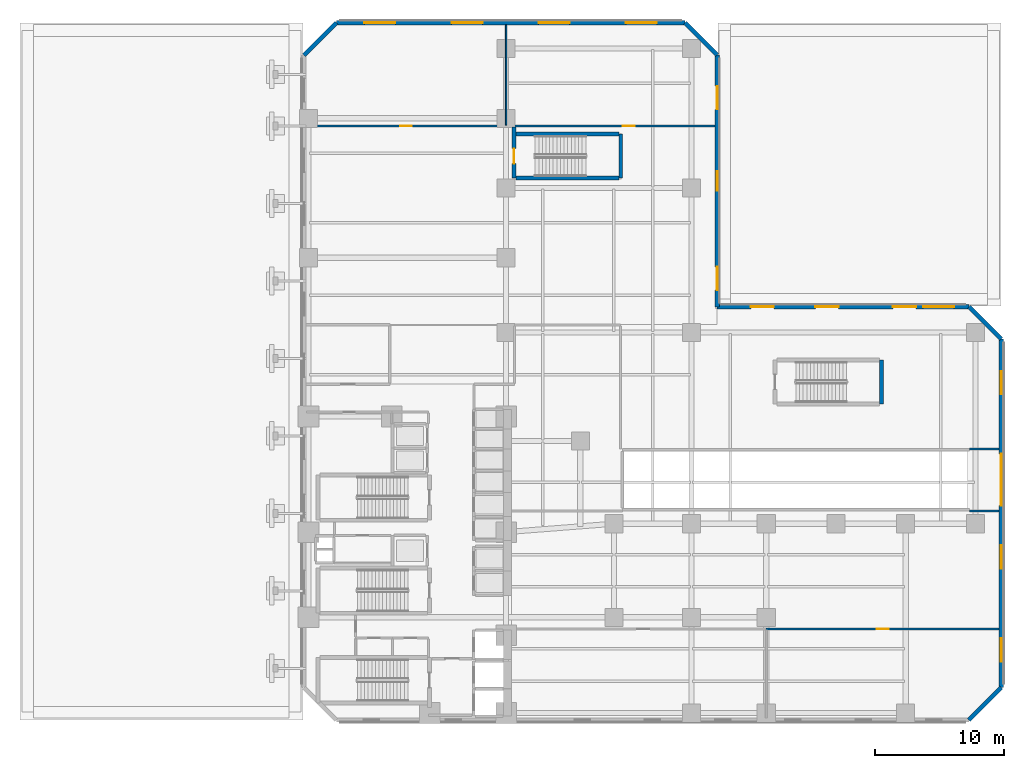
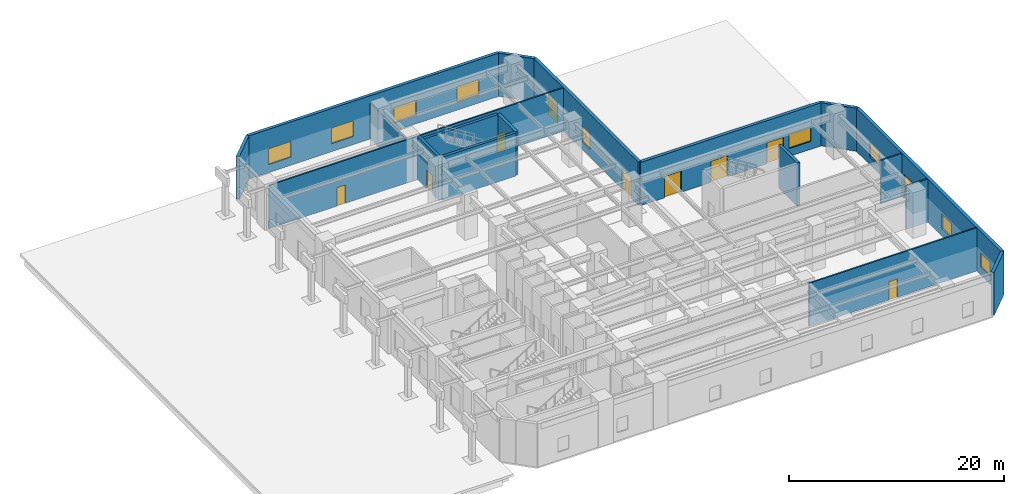
# One storey, part 6 of 14: 19 walls, 10 doors, 9 windows, 19 openings.
"""IFC4 building model written with IfcOpenShell, lengths in metres."""

from ifc_helpers import new_model, si_unit, direction, frame, frame_2d, origin, place, context, subcontext, project, spatial, rectangle, extrude, material, layer, layer_set, type_object, element, fill, save


model = new_model("IFC4")

# Units and contexts
model_context = context("Model", 3, precision=1e-05, world=origin(), true_north=direction((0.0, 1.0)))
body_context = subcontext(model_context, "Body", "Model", "MODEL_VIEW")
ifc_project = project(units=[si_unit("LENGTHUNIT", "METRE"), si_unit("AREAUNIT", "SQUARE_METRE"), si_unit("VOLUMEUNIT", "CUBIC_METRE"), si_unit("PLANEANGLEUNIT", "RADIAN"), si_unit("MASSUNIT", "GRAM", prefix="KILO")], contexts=[model_context])

# Site, building, storey
site_placement = place(None, origin())
site = spatial("IfcSite", under=ifc_project, at=site_placement, CompositionType="ELEMENT")
building_placement = place(site_placement, origin())
building = spatial("IfcBuilding", under=site, at=building_placement, Name="Mawjaban Terraces University", CompositionType="ELEMENT")
storey_placement = place(building_placement, origin())
storey = spatial("IfcBuildingStorey", under=building, at=storey_placement, Name="L00", CompositionType="ELEMENT", Elevation=0.0)

# Wall, opening, door
ifc_material_1 = material(Name="Fire-rated gypsum board on steel stud", Category="steel")
ifc_layer_1 = layer(ifc_material_1, 0.159912109375)
ifc_layer_set_1 = layer_set([ifc_layer_1], Name="Fire-rated gypsum board on steel stud")
wall_type_1 = type_object("IfcWallType", Name="CorridorPartition_160", PredefinedType="PARTITIONING", material=ifc_layer_set_1)
wall_1_placement = place(storey_placement, frame((37.64990234375, 46.0, 0.0), z_axis=(0.0, 0.0, 1.0), x_axis=(-1.0, 0.0, 0.0)))
wall_1 = element("IfcWall", 1, at=wall_1_placement, inside=storey, type_object=wall_type_1, Name="L00 Main Campus Entrance Concourse Partition 12", PredefinedType="PARTITIONING", context=body_context, shape_type="SweptSolid", body=[
    extrude(rectangle(XDim=15.494873046875, YDim=0.159912109375, at=frame_2d((7.74755859375, 0.0))), origin(), (0.0, 0.0, 1.0), 4.919921875),
])
opening_1_placement = place(wall_1_placement, frame((7.297119140625, 0.0, 0.0)))
opening_1 = element("IfcOpeningElement", 2, at=opening_1_placement, cuts=wall_1, Name="Opening ID-090", PredefinedType="OPENING", context=body_context, shape_type="SweptSolid", body=[
    extrude(rectangle(XDim=0.89990234375, YDim=2.10009765625, at=frame_2d((0.449951171875, 1.050048828125))), frame((0.0, 0.08984375, 0.0), z_axis=(0.0, -1.0, 0.0), x_axis=(1.0, 0.0, 0.0)), (0.0, 0.0, 1.0), 0.179931640625),
])
ifc_material_2 = material(Name="Powder-coated steel frame and solid acoustic timber leaf", Category="steel")
door_type_1 = type_object("IfcDoorType", Name="OfficeDoor_900x2100", OperationType="NOTDEFINED", PredefinedType="DOOR", material=ifc_material_2)
door_1_placement = place(opening_1_placement, origin())
door_1 = element("IfcDoor", 3, at=door_1_placement, inside=storey, type_object=door_type_1, Name="L00 University Admissions and Registrar Suite Door", OperationType="SINGLE_SWING_LEFT", OverallHeight=2.10009765625, OverallWidth=0.89990234375, PredefinedType="DOOR", context=body_context, shape_type="SweptSolid", body=[
    extrude(rectangle(XDim=0.89990234375, YDim=2.10009765625, at=frame_2d((0.449951171875, 1.050048828125))), frame((0.0, 0.02490234375, 0.0), z_axis=(0.0, -1.0, 0.0), x_axis=(1.0, 0.0, 0.0)), (0.0, 0.0, 1.0), 0.050048828125),
])
fill(opening_1, door_1)

wall_2_placement = place(storey_placement, frame((53.844970703125, 46.0, 0.0), z_axis=(0.0, 0.0, 1.0), x_axis=(-1.0, 0.0, 0.0)))
wall_2 = element("IfcWall", 4, at=wall_2_placement, inside=storey, type_object=wall_type_1, Name="L00 Main Campus Entrance Concourse Partition 16", PredefinedType="PARTITIONING", context=body_context, shape_type="SweptSolid", body=[
    extrude(rectangle(XDim=16.195068359375, YDim=0.159912109375, at=frame_2d((8.09765625, 0.0))), origin(), (0.0, 0.0, 1.0), 4.919921875),
])
opening_2_placement = place(wall_2_placement, frame((6.248046875, 0.0, 0.0)))
opening_2 = element("IfcOpeningElement", 5, at=opening_2_placement, cuts=wall_2, Name="Opening ID-090", PredefinedType="OPENING", context=body_context, shape_type="SweptSolid", body=[
    extrude(rectangle(XDim=0.89990234375, YDim=2.10009765625, at=frame_2d((0.449951171875, 1.050048828125))), frame((0.0, 0.08984375, 0.0), z_axis=(0.0, -1.0, 0.0), x_axis=(1.0, 0.0, 0.0)), (0.0, 0.0, 1.0), 0.179931640625),
])
door_2_placement = place(opening_2_placement, origin())
door_2 = element("IfcDoor", 6, at=door_2_placement, inside=storey, type_object=door_type_1, Name="L00 Student Enrolment Commons Door", OperationType="SINGLE_SWING_RIGHT", OverallHeight=2.10009765625, OverallWidth=0.89990234375, PredefinedType="DOOR", context=body_context, shape_type="SweptSolid", body=[
    extrude(rectangle(XDim=0.89990234375, YDim=2.10009765625, at=frame_2d((0.449951171875, 1.050048828125))), frame((0.0, 0.02490234375, 0.0), z_axis=(0.0, -1.0, 0.0), x_axis=(1.0, 0.0, 0.0)), (0.0, 0.0, 1.0), 0.050048828125),
])
fill(opening_2, door_2)

wall_3_placement = place(storey_placement, frame((57.800048828125, 7.050048828125, 0.0), z_axis=(0.0, 0.0, 1.0), x_axis=(1.0, 0.0, 0.0)))
wall_3 = element("IfcWall", 7, at=wall_3_placement, inside=storey, type_object=wall_type_1, Name="L00 Podium Lecture Theatre Foyer Partition 17", PredefinedType="PARTITIONING", context=body_context, shape_type="SweptSolid", body=[
    extrude(rectangle(XDim=18.044921875, YDim=0.159912109375, at=frame_2d((9.0224609375, 0.0))), origin(), (0.0, 0.0, 1.0), 4.919921875),
])
opening_3_placement = place(wall_3_placement, frame((8.572998046875, 0.0, 0.0)))
opening_3 = element("IfcOpeningElement", 8, at=opening_3_placement, cuts=wall_3, Name="Opening ID-090", PredefinedType="OPENING", context=body_context, shape_type="SweptSolid", body=[
    extrude(rectangle(XDim=0.89990234375, YDim=2.10009765625, at=frame_2d((0.449951171875, 1.050048828125))), frame((0.0, 0.08984375, 0.0), z_axis=(0.0, -1.0, 0.0), x_axis=(1.0, 0.0, 0.0)), (0.0, 0.0, 1.0), 0.179931640625),
])
door_3_placement = place(opening_3_placement, origin())
door_3 = element("IfcDoor", 9, at=door_3_placement, inside=storey, type_object=door_type_1, Name="L00 Plaza Academic Commons and Reading Lounge Door", OperationType="SINGLE_SWING_RIGHT", OverallHeight=2.10009765625, OverallWidth=0.89990234375, PredefinedType="DOOR", context=body_context, shape_type="SweptSolid", body=[
    extrude(rectangle(XDim=0.89990234375, YDim=2.10009765625, at=frame_2d((0.449951171875, 1.050048828125))), frame((0.0, 0.02490234375, 0.0), z_axis=(0.0, -1.0, 0.0), x_axis=(1.0, 0.0, 0.0)), (0.0, 0.0, 1.0), 0.050048828125),
])
fill(opening_3, door_3)

# Walls
for number, where, z_axis, x_axis, name in (
    (10, (73.550048828125, 21.0, 0.0), (0.0, 0.0, 1.0), (1.0, 0.0, 0.0), "L00 Service Ramp Control Lobby Partition 18"),
    (11, (75.844970703125, 16.199951171875, 0.0), (0.0, 0.0, 1.0), (-1.0, 0.0, 0.0), "L00 Podium Lecture Theatre Foyer Partition 19"),
):
    element("IfcWall", number, at=place(storey_placement, frame(where, z_axis=z_axis, x_axis=x_axis)), inside=storey, type_object=wall_type_1, Name=name, PredefinedType="PARTITIONING", context=body_context, shape_type="SweptSolid", body=[
        extrude(rectangle(XDim=2.294921875, YDim=0.159912109375, at=frame_2d((1.1474609375, 0.0))), origin(), (0.0, 0.0, 1.0), 4.919921875),
    ])
ifc_material_3 = material(Name="Insulated terracotta rainscreen on concrete backup C40/50", Category="masonry")
ifc_layer_2 = layer(ifc_material_3, 0.320068359375)
ifc_layer_set_2 = layer_set([ifc_layer_2], Name="Insulated terracotta rainscreen on concrete backup C40/50")
wall_type_2 = type_object("IfcWallType", Name="ExtTerracottaWall_320", PredefinedType="SOLIDWALL", material=ifc_layer_set_2)
wall_4_placement = place(storey_placement, frame((73.5, 0.0, 0.0), z_axis=(0.0, 0.0, 1.0), x_axis=(0.707106781187, 0.707106781187, 0.0)))
element("IfcWall", 12, at=wall_4_placement, inside=storey, type_object=wall_type_2, Name="L00 Exterior Terracotta Wall 2", PredefinedType="SOLIDWALL", context=body_context, shape_type="SweptSolid", body=[
    extrude(rectangle(XDim=3.53564453125, YDim=0.320068359375, at=frame_2d((1.767822265625, 0.0))), origin(), (0.0, 0.0, 1.0), 4.919921875),
])

# Wall, openings, door, windows
wall_5_placement = place(storey_placement, frame((76.0, 2.5, 0.0), z_axis=(0.0, 0.0, 1.0), x_axis=(0.0, 1.0, 0.0)))
wall_5 = element("IfcWall", 13, at=wall_5_placement, inside=storey, type_object=wall_type_2, Name="L00 Exterior Terracotta Wall 3", PredefinedType="SOLIDWALL", context=body_context, shape_type="SweptSolid", body=[
    extrude(rectangle(XDim=27.0, YDim=0.320068359375, at=frame_2d((13.5, 0.0))), origin(), (0.0, 0.0, 1.0), 4.919921875),
])
opening_4_placement = place(wall_5_placement, frame((14.10009765625, 0.0, 0.0)))
opening_4 = element("IfcOpeningElement", 14, at=opening_4_placement, cuts=wall_5, Name="Opening VG-400", PredefinedType="OPENING", context=body_context, shape_type="SweptSolid", body=[
    extrude(rectangle(XDim=4.0, YDim=2.800048828125, at=frame_2d((2.0, 1.39990234375))), frame((0.0, 0.169921875, 0.0), z_axis=(0.0, -1.0, 0.0), x_axis=(1.0, 0.0, 0.0)), (0.0, 0.0, 1.0), 0.340087890625),
])
opening_5_placement = place(wall_5_placement, frame((2.02490234375, 0.0, 0.89990234375)))
opening_5 = element("IfcOpeningElement", 15, at=opening_5_placement, cuts=wall_5, Name="Opening W-03", PredefinedType="OPENING", context=body_context, shape_type="SweptSolid", body=[
    extrude(rectangle(XDim=1.800048828125, YDim=1.60009765625, at=frame_2d((0.89990234375, 0.800048828125))), frame((0.0, 0.169921875, 0.0), z_axis=(0.0, -1.0, 0.0), x_axis=(1.0, 0.0, 0.0)), (0.0, 0.0, 1.0), 0.340087890625),
])
opening_6_placement = place(wall_5_placement, frame((9.22509765625, 0.0, 0.89990234375)))
opening_6 = element("IfcOpeningElement", 16, at=opening_6_placement, cuts=wall_5, Name="Opening W-03", PredefinedType="OPENING", context=body_context, shape_type="SweptSolid", body=[
    extrude(rectangle(XDim=1.800048828125, YDim=1.60009765625, at=frame_2d((0.89990234375, 0.800048828125))), frame((0.0, 0.169921875, 0.0), z_axis=(0.0, -1.0, 0.0), x_axis=(1.0, 0.0, 0.0)), (0.0, 0.0, 1.0), 0.340087890625),
])
opening_7_placement = place(wall_5_placement, frame((22.72509765625, 0.0, 0.89990234375)))
opening_7 = element("IfcOpeningElement", 17, at=opening_7_placement, cuts=wall_5, Name="Opening W-03", PredefinedType="OPENING", context=body_context, shape_type="SweptSolid", body=[
    extrude(rectangle(XDim=1.800048828125, YDim=1.60009765625, at=frame_2d((0.89990234375, 0.800048828125))), frame((0.0, 0.169921875, 0.0), z_axis=(0.0, -1.0, 0.0), x_axis=(1.0, 0.0, 0.0)), (0.0, 0.0, 1.0), 0.340087890625),
])
ifc_material_4 = material(Name="Motorised galvanised steel S355 security roller shutter", Category="steel")
door_type_2 = type_object("IfcDoorType", Name="VehicleRampShutter_4000x2800", OperationType="NOTDEFINED", PredefinedType="GATE", material=ifc_material_4)
door_4_placement = place(opening_4_placement, origin())
door_4 = element("IfcDoor", 18, at=door_4_placement, inside=storey, type_object=door_type_2, Name="L00 Car Park Ramp Roller Shutter Gate VG-01", OperationType="ROLLINGUP", OverallHeight=2.800048828125, OverallWidth=4.0, PredefinedType="GATE", context=body_context, shape_type="SweptSolid", body=[
    extrude(rectangle(XDim=4.0, YDim=2.800048828125, at=frame_2d((2.0, 1.39990234375))), frame((0.0, 0.02490234375, 0.0), z_axis=(0.0, -1.0, 0.0), x_axis=(1.0, 0.0, 0.0)), (0.0, 0.0, 1.0), 0.050048828125),
])
fill(opening_4, door_4)
ifc_material_5 = material(Name="Low-E solar-control double glazing in thermally broken aluminium frame", Category="aluminium")
window_type_1 = type_object("IfcWindowType", Name="Win_1800x1600", PartitioningType="SINGLE_PANEL", PredefinedType="WINDOW", material=ifc_material_5)
window_1_placement = place(opening_5_placement, origin())
window_1 = element("IfcWindow", 19, at=window_1_placement, inside=storey, type_object=window_type_1, Name="L00 Facade Window 3.1", OverallHeight=1.60009765625, OverallWidth=1.800048828125, PartitioningType="SINGLE_PANEL", PredefinedType="WINDOW", context=body_context, shape_type="SweptSolid", body=[
    extrude(rectangle(XDim=1.800048828125, YDim=1.60009765625, at=frame_2d((0.89990234375, 0.800048828125))), frame((0.0, 0.030029296875, 0.0), z_axis=(0.0, -1.0, 0.0), x_axis=(1.0, 0.0, 0.0)), (0.0, 0.0, 1.0), 0.06005859375),
])
fill(opening_5, window_1)
window_2_placement = place(opening_6_placement, origin())
window_2 = element("IfcWindow", 20, at=window_2_placement, inside=storey, type_object=window_type_1, Name="L00 Facade Window 3.2", OverallHeight=1.60009765625, OverallWidth=1.800048828125, PartitioningType="SINGLE_PANEL", PredefinedType="WINDOW", context=body_context, shape_type="SweptSolid", body=[
    extrude(rectangle(XDim=1.800048828125, YDim=1.60009765625, at=frame_2d((0.89990234375, 0.800048828125))), frame((0.0, 0.030029296875, 0.0), z_axis=(0.0, -1.0, 0.0), x_axis=(1.0, 0.0, 0.0)), (0.0, 0.0, 1.0), 0.06005859375),
])
fill(opening_6, window_2)
window_3_placement = place(opening_7_placement, origin())
window_3 = element("IfcWindow", 21, at=window_3_placement, inside=storey, type_object=window_type_1, Name="L00 Facade Window 3.4", OverallHeight=1.60009765625, OverallWidth=1.800048828125, PartitioningType="SINGLE_PANEL", PredefinedType="WINDOW", context=body_context, shape_type="SweptSolid", body=[
    extrude(rectangle(XDim=1.800048828125, YDim=1.60009765625, at=frame_2d((0.89990234375, 0.800048828125))), frame((0.0, 0.030029296875, 0.0), z_axis=(0.0, -1.0, 0.0), x_axis=(1.0, 0.0, 0.0)), (0.0, 0.0, 1.0), 0.06005859375),
])
fill(opening_7, window_3)

# Wall
wall_6_placement = place(storey_placement, frame((76.0, 29.5, 0.0), z_axis=(0.0, 0.0, 1.0), x_axis=(-0.707106781187, 0.707106781187, 0.0)))
element("IfcWall", 22, at=wall_6_placement, inside=storey, type_object=wall_type_2, Name="L00 Exterior Terracotta Wall 4", PredefinedType="SOLIDWALL", context=body_context, shape_type="SweptSolid", body=[
    extrude(rectangle(XDim=3.53564453125, YDim=0.320068359375, at=frame_2d((1.767822265625, 0.0))), origin(), (0.0, 0.0, 1.0), 4.919921875),
])

# Wall, openings, doors, window
wall_7_placement = place(storey_placement, frame((73.5, 32.0, 0.0), z_axis=(0.0, 0.0, 1.0), x_axis=(-1.0, 0.0, 0.0)))
wall_7 = element("IfcWall", 23, at=wall_7_placement, inside=storey, type_object=wall_type_2, Name="L00 Exterior Terracotta Wall 5", PredefinedType="SOLIDWALL", context=body_context, shape_type="SweptSolid", body=[
    extrude(rectangle(XDim=19.5, YDim=0.320068359375, at=frame_2d((9.75, 0.0))), origin(), (0.0, 0.0, 1.0), 4.919921875),
])
opening_8_placement = place(wall_7_placement, frame((15.10009765625, 0.0, 0.0)))
opening_8 = element("IfcOpeningElement", 24, at=opening_8_placement, cuts=wall_7, Name="Opening ED-180", PredefinedType="OPENING", context=body_context, shape_type="SweptSolid", body=[
    extrude(rectangle(XDim=1.800048828125, YDim=2.39990234375, at=frame_2d((0.89990234375, 1.199951171875))), frame((0.0, 0.169921875, 0.0), z_axis=(0.0, -1.0, 0.0), x_axis=(1.0, 0.0, 0.0)), (0.0, 0.0, 1.0), 0.340087890625),
])
opening_9_placement = place(wall_7_placement, frame((10.10009765625, 0.0, 0.0)))
opening_9 = element("IfcOpeningElement", 25, at=opening_9_placement, cuts=wall_7, Name="Opening ED-180", PredefinedType="OPENING", context=body_context, shape_type="SweptSolid", body=[
    extrude(rectangle(XDim=1.800048828125, YDim=2.39990234375, at=frame_2d((0.89990234375, 1.199951171875))), frame((0.0, 0.169921875, 0.0), z_axis=(0.0, -1.0, 0.0), x_axis=(1.0, 0.0, 0.0)), (0.0, 0.0, 1.0), 0.340087890625),
])
opening_10_placement = place(wall_7_placement, frame((4.10009765625, 0.0, 0.0)))
opening_10 = element("IfcOpeningElement", 26, at=opening_10_placement, cuts=wall_7, Name="Opening ED-180", PredefinedType="OPENING", context=body_context, shape_type="SweptSolid", body=[
    extrude(rectangle(XDim=1.800048828125, YDim=2.39990234375, at=frame_2d((0.89990234375, 1.199951171875))), frame((0.0, 0.169921875, 0.0), z_axis=(0.0, -1.0, 0.0), x_axis=(1.0, 0.0, 0.0)), (0.0, 0.0, 1.0), 0.340087890625),
])
opening_11_placement = place(wall_7_placement, frame((1.14990234375, 0.0, 0.89990234375)))
opening_11 = element("IfcOpeningElement", 27, at=opening_11_placement, cuts=wall_7, Name="Opening W-05", PredefinedType="OPENING", context=body_context, shape_type="SweptSolid", body=[
    extrude(rectangle(XDim=2.39990234375, YDim=1.60009765625, at=frame_2d((1.199951171875, 0.800048828125))), frame((0.0, 0.169921875, 0.0), z_axis=(0.0, -1.0, 0.0), x_axis=(1.0, 0.0, 0.0)), (0.0, 0.0, 1.0), 0.340087890625),
])
ifc_material_6 = material(Name="Thermally broken anodised aluminium and laminated safety glass", Category="aluminium")
door_type_3 = type_object("IfcDoorType", Name="ExtEntranceDouble_1800x2400", OperationType="NOTDEFINED", PredefinedType="DOOR", material=ifc_material_6)
door_5_placement = place(opening_8_placement, origin())
door_5 = element("IfcDoor", 28, at=door_5_placement, inside=storey, type_object=door_type_3, Name="L00 Courtyard South Pedestrian Exit Door CY01", OperationType="DOUBLE_DOOR_SINGLE_SWING", OverallHeight=2.39990234375, OverallWidth=1.800048828125, PredefinedType="DOOR", context=body_context, shape_type="SweptSolid", body=[
    extrude(rectangle(XDim=1.800048828125, YDim=2.39990234375, at=frame_2d((0.89990234375, 1.199951171875))), frame((0.0, 0.02490234375, 0.0), z_axis=(0.0, -1.0, 0.0), x_axis=(1.0, 0.0, 0.0)), (0.0, 0.0, 1.0), 0.050048828125),
])
fill(opening_8, door_5)
door_6_placement = place(opening_9_placement, origin())
door_6 = element("IfcDoor", 29, at=door_6_placement, inside=storey, type_object=door_type_3, Name="L00 Courtyard South Pedestrian Exit Door CY02", OperationType="DOUBLE_DOOR_SINGLE_SWING", OverallHeight=2.39990234375, OverallWidth=1.800048828125, PredefinedType="DOOR", context=body_context, shape_type="SweptSolid", body=[
    extrude(rectangle(XDim=1.800048828125, YDim=2.39990234375, at=frame_2d((0.89990234375, 1.199951171875))), frame((0.0, 0.02490234375, 0.0), z_axis=(0.0, -1.0, 0.0), x_axis=(1.0, 0.0, 0.0)), (0.0, 0.0, 1.0), 0.050048828125),
])
fill(opening_9, door_6)
door_7_placement = place(opening_10_placement, origin())
door_7 = element("IfcDoor", 30, at=door_7_placement, inside=storey, type_object=door_type_3, Name="L00 Courtyard South Pedestrian Exit Door CY03", OperationType="DOUBLE_DOOR_SINGLE_SWING", OverallHeight=2.39990234375, OverallWidth=1.800048828125, PredefinedType="DOOR", context=body_context, shape_type="SweptSolid", body=[
    extrude(rectangle(XDim=1.800048828125, YDim=2.39990234375, at=frame_2d((0.89990234375, 1.199951171875))), frame((0.0, 0.02490234375, 0.0), z_axis=(0.0, -1.0, 0.0), x_axis=(1.0, 0.0, 0.0)), (0.0, 0.0, 1.0), 0.050048828125),
])
fill(opening_10, door_7)
window_type_2 = type_object("IfcWindowType", Name="Win_2400x1600", PartitioningType="SINGLE_PANEL", PredefinedType="WINDOW", material=ifc_material_5)
window_4_placement = place(opening_11_placement, origin())
window_4 = element("IfcWindow", 31, at=window_4_placement, inside=storey, type_object=window_type_2, Name="L00 Facade Window 5.1", OverallHeight=1.60009765625, OverallWidth=2.39990234375, PartitioningType="SINGLE_PANEL", PredefinedType="WINDOW", context=body_context, shape_type="SweptSolid", body=[
    extrude(rectangle(XDim=2.39990234375, YDim=1.60009765625, at=frame_2d((1.199951171875, 0.800048828125))), frame((0.0, 0.030029296875, 0.0), z_axis=(0.0, -1.0, 0.0), x_axis=(1.0, 0.0, 0.0)), (0.0, 0.0, 1.0), 0.06005859375),
])
fill(opening_11, window_4)

wall_8_placement = place(storey_placement, frame((54.0, 32.0, 0.0), z_axis=(0.0, 0.0, 1.0), x_axis=(0.0, 1.0, 0.0)))
wall_8 = element("IfcWall", 32, at=wall_8_placement, inside=storey, type_object=wall_type_2, Name="L00 Exterior Terracotta Wall 6", PredefinedType="SOLIDWALL", context=body_context, shape_type="SweptSolid", body=[
    extrude(rectangle(XDim=19.5, YDim=0.320068359375, at=frame_2d((9.75, 0.0))), origin(), (0.0, 0.0, 1.0), 4.919921875),
])
opening_12_placement = place(wall_8_placement, frame((1.300048828125, 0.0, 0.0)))
opening_12 = element("IfcOpeningElement", 33, at=opening_12_placement, cuts=wall_8, Name="Opening ED-180", PredefinedType="OPENING", context=body_context, shape_type="SweptSolid", body=[
    extrude(rectangle(XDim=1.800048828125, YDim=2.39990234375, at=frame_2d((0.89990234375, 1.199951171875))), frame((0.0, 0.169921875, 0.0), z_axis=(0.0, -1.0, 0.0), x_axis=(1.0, 0.0, 0.0)), (0.0, 0.0, 1.0), 0.340087890625),
])
opening_13_placement = place(wall_8_placement, frame((15.300048828125, 0.0, 0.0)))
opening_13 = element("IfcOpeningElement", 34, at=opening_13_placement, cuts=wall_8, Name="Opening ED-180", PredefinedType="OPENING", context=body_context, shape_type="SweptSolid", body=[
    extrude(rectangle(XDim=1.800048828125, YDim=2.39990234375, at=frame_2d((0.89990234375, 1.199951171875))), frame((0.0, 0.169921875, 0.0), z_axis=(0.0, -1.0, 0.0), x_axis=(1.0, 0.0, 0.0)), (0.0, 0.0, 1.0), 0.340087890625),
])
opening_14_placement = place(wall_8_placement, frame((9.0, 0.0, 0.89990234375)))
opening_14 = element("IfcOpeningElement", 35, at=opening_14_placement, cuts=wall_8, Name="Opening W-06", PredefinedType="OPENING", context=body_context, shape_type="SweptSolid", body=[
    extrude(rectangle(XDim=1.5, YDim=1.800048828125, at=frame_2d((0.75, 0.89990234375))), frame((0.0, 0.169921875, 0.0), z_axis=(0.0, -1.0, 0.0), x_axis=(1.0, 0.0, 0.0)), (0.0, 0.0, 1.0), 0.340087890625),
])
door_8_placement = place(opening_12_placement, origin())
door_8 = element("IfcDoor", 36, at=door_8_placement, inside=storey, type_object=door_type_3, Name="L00 Courtyard Plaza Pedestrian Exit Door NE01", OperationType="DOUBLE_DOOR_SINGLE_SWING", OverallHeight=2.39990234375, OverallWidth=1.800048828125, PredefinedType="DOOR", context=body_context, shape_type="SweptSolid", body=[
    extrude(rectangle(XDim=1.800048828125, YDim=2.39990234375, at=frame_2d((0.89990234375, 1.199951171875))), frame((0.0, 0.02490234375, 0.0), z_axis=(0.0, -1.0, 0.0), x_axis=(1.0, 0.0, 0.0)), (0.0, 0.0, 1.0), 0.050048828125),
])
fill(opening_12, door_8)
door_9_placement = place(opening_13_placement, origin())
door_9 = element("IfcDoor", 37, at=door_9_placement, inside=storey, type_object=door_type_3, Name="L00 Courtyard Plaza Pedestrian Exit Door NE03", OperationType="DOUBLE_DOOR_SINGLE_SWING", OverallHeight=2.39990234375, OverallWidth=1.800048828125, PredefinedType="DOOR", context=body_context, shape_type="SweptSolid", body=[
    extrude(rectangle(XDim=1.800048828125, YDim=2.39990234375, at=frame_2d((0.89990234375, 1.199951171875))), frame((0.0, 0.02490234375, 0.0), z_axis=(0.0, -1.0, 0.0), x_axis=(1.0, 0.0, 0.0)), (0.0, 0.0, 1.0), 0.050048828125),
])
fill(opening_13, door_9)
window_type_3 = type_object("IfcWindowType", Name="Win_1500x1800", PartitioningType="SINGLE_PANEL", PredefinedType="WINDOW", material=ifc_material_5)
window_5_placement = place(opening_14_placement, origin())
window_5 = element("IfcWindow", 38, at=window_5_placement, inside=storey, type_object=window_type_3, Name="L00 Facade Window 6.2", OverallHeight=1.800048828125, OverallWidth=1.5, PartitioningType="SINGLE_PANEL", PredefinedType="WINDOW", context=body_context, shape_type="SweptSolid", body=[
    extrude(rectangle(XDim=1.5, YDim=1.800048828125, at=frame_2d((0.75, 0.89990234375))), frame((0.0, 0.030029296875, 0.0), z_axis=(0.0, -1.0, 0.0), x_axis=(1.0, 0.0, 0.0)), (0.0, 0.0, 1.0), 0.06005859375),
])
fill(opening_14, window_5)

# Wall
wall_9_placement = place(storey_placement, frame((54.0, 51.5, 0.0), z_axis=(0.0, 0.0, 1.0), x_axis=(-0.707106781187, 0.707106781187, 0.0)))
element("IfcWall", 39, at=wall_9_placement, inside=storey, type_object=wall_type_2, Name="L00 Exterior Terracotta Wall 7", PredefinedType="SOLIDWALL", context=body_context, shape_type="SweptSolid", body=[
    extrude(rectangle(XDim=3.53564453125, YDim=0.320068359375, at=frame_2d((1.767822265625, 0.0))), origin(), (0.0, 0.0, 1.0), 4.919921875),
])

# Wall, openings, windows
wall_10_placement = place(storey_placement, frame((51.5, 54.0, 0.0), z_axis=(0.0, 0.0, 1.0), x_axis=(-1.0, 0.0, 0.0)))
wall_10 = element("IfcWall", 40, at=wall_10_placement, inside=storey, type_object=wall_type_2, Name="L00 Exterior Terracotta Wall 8", PredefinedType="SOLIDWALL", context=body_context, shape_type="SweptSolid", body=[
    extrude(rectangle(XDim=27.0, YDim=0.320068359375, at=frame_2d((13.5, 0.0))), origin(), (0.0, 0.0, 1.0), 4.919921875),
])
opening_15_placement = place(wall_10_placement, frame((2.175048828125, 0.0, 0.89990234375)))
opening_15 = element("IfcOpeningElement", 41, at=opening_15_placement, cuts=wall_10, Name="Opening W-08", PredefinedType="OPENING", context=body_context, shape_type="SweptSolid", body=[
    extrude(rectangle(XDim=2.39990234375, YDim=1.800048828125, at=frame_2d((1.199951171875, 0.89990234375))), frame((0.0, 0.169921875, 0.0), z_axis=(0.0, -1.0, 0.0), x_axis=(1.0, 0.0, 0.0)), (0.0, 0.0, 1.0), 0.340087890625),
])
opening_16_placement = place(wall_10_placement, frame((8.925048828125, 0.0, 0.89990234375)))
opening_16 = element("IfcOpeningElement", 42, at=opening_16_placement, cuts=wall_10, Name="Opening W-08", PredefinedType="OPENING", context=body_context, shape_type="SweptSolid", body=[
    extrude(rectangle(XDim=2.39990234375, YDim=1.800048828125, at=frame_2d((1.199951171875, 0.89990234375))), frame((0.0, 0.169921875, 0.0), z_axis=(0.0, -1.0, 0.0), x_axis=(1.0, 0.0, 0.0)), (0.0, 0.0, 1.0), 0.340087890625),
])
opening_17_placement = place(wall_10_placement, frame((15.675048828125, 0.0, 0.89990234375)))
opening_17 = element("IfcOpeningElement", 43, at=opening_17_placement, cuts=wall_10, Name="Opening W-08", PredefinedType="OPENING", context=body_context, shape_type="SweptSolid", body=[
    extrude(rectangle(XDim=2.39990234375, YDim=1.800048828125, at=frame_2d((1.199951171875, 0.89990234375))), frame((0.0, 0.169921875, 0.0), z_axis=(0.0, -1.0, 0.0), x_axis=(1.0, 0.0, 0.0)), (0.0, 0.0, 1.0), 0.340087890625),
])
opening_18_placement = place(wall_10_placement, frame((22.425048828125, 0.0, 0.89990234375)))
opening_18 = element("IfcOpeningElement", 44, at=opening_18_placement, cuts=wall_10, Name="Opening W-08", PredefinedType="OPENING", context=body_context, shape_type="SweptSolid", body=[
    extrude(rectangle(XDim=2.39990234375, YDim=1.800048828125, at=frame_2d((1.199951171875, 0.89990234375))), frame((0.0, 0.169921875, 0.0), z_axis=(0.0, -1.0, 0.0), x_axis=(1.0, 0.0, 0.0)), (0.0, 0.0, 1.0), 0.340087890625),
])
window_type_4 = type_object("IfcWindowType", Name="Win_2400x1800", PartitioningType="SINGLE_PANEL", PredefinedType="WINDOW", material=ifc_material_5)
window_6_placement = place(opening_15_placement, origin())
window_6 = element("IfcWindow", 45, at=window_6_placement, inside=storey, type_object=window_type_4, Name="L00 Facade Window 8.1", OverallHeight=1.800048828125, OverallWidth=2.39990234375, PartitioningType="SINGLE_PANEL", PredefinedType="WINDOW", context=body_context, shape_type="SweptSolid", body=[
    extrude(rectangle(XDim=2.39990234375, YDim=1.800048828125, at=frame_2d((1.199951171875, 0.89990234375))), frame((0.0, 0.030029296875, 0.0), z_axis=(0.0, -1.0, 0.0), x_axis=(1.0, 0.0, 0.0)), (0.0, 0.0, 1.0), 0.06005859375),
])
fill(opening_15, window_6)
window_7_placement = place(opening_16_placement, origin())
window_7 = element("IfcWindow", 46, at=window_7_placement, inside=storey, type_object=window_type_4, Name="L00 Facade Window 8.2", OverallHeight=1.800048828125, OverallWidth=2.39990234375, PartitioningType="SINGLE_PANEL", PredefinedType="WINDOW", context=body_context, shape_type="SweptSolid", body=[
    extrude(rectangle(XDim=2.39990234375, YDim=1.800048828125, at=frame_2d((1.199951171875, 0.89990234375))), frame((0.0, 0.030029296875, 0.0), z_axis=(0.0, -1.0, 0.0), x_axis=(1.0, 0.0, 0.0)), (0.0, 0.0, 1.0), 0.06005859375),
])
fill(opening_16, window_7)
window_8_placement = place(opening_17_placement, origin())
window_8 = element("IfcWindow", 47, at=window_8_placement, inside=storey, type_object=window_type_4, Name="L00 Facade Window 8.3", OverallHeight=1.800048828125, OverallWidth=2.39990234375, PartitioningType="SINGLE_PANEL", PredefinedType="WINDOW", context=body_context, shape_type="SweptSolid", body=[
    extrude(rectangle(XDim=2.39990234375, YDim=1.800048828125, at=frame_2d((1.199951171875, 0.89990234375))), frame((0.0, 0.030029296875, 0.0), z_axis=(0.0, -1.0, 0.0), x_axis=(1.0, 0.0, 0.0)), (0.0, 0.0, 1.0), 0.06005859375),
])
fill(opening_17, window_8)
window_9_placement = place(opening_18_placement, origin())
window_9 = element("IfcWindow", 48, at=window_9_placement, inside=storey, type_object=window_type_4, Name="L00 Facade Window 8.4", OverallHeight=1.800048828125, OverallWidth=2.39990234375, PartitioningType="SINGLE_PANEL", PredefinedType="WINDOW", context=body_context, shape_type="SweptSolid", body=[
    extrude(rectangle(XDim=2.39990234375, YDim=1.800048828125, at=frame_2d((1.199951171875, 0.89990234375))), frame((0.0, 0.030029296875, 0.0), z_axis=(0.0, -1.0, 0.0), x_axis=(1.0, 0.0, 0.0)), (0.0, 0.0, 1.0), 0.06005859375),
])
fill(opening_18, window_9)

# Walls
wall_11_placement = place(storey_placement, frame((24.5, 54.0, 0.0), z_axis=(0.0, 0.0, 1.0), x_axis=(-0.707106781187, -0.707106781187, 0.0)))
element("IfcWall", 49, at=wall_11_placement, inside=storey, type_object=wall_type_2, Name="L00 Exterior Terracotta Wall 9", PredefinedType="SOLIDWALL", context=body_context, shape_type="SweptSolid", body=[
    extrude(rectangle(XDim=3.53564453125, YDim=0.320068359375, at=frame_2d((1.767822265625, 0.0))), origin(), (0.0, 0.0, 1.0), 4.919921875),
])
ifc_material_7 = material(Name="Gypsum plasterboard on steel stud", Category="steel")
ifc_layer_3 = layer(ifc_material_7, 0.125)
ifc_layer_set_3 = layer_set([ifc_layer_3], Name="Gypsum plasterboard on steel stud")
wall_type_3 = type_object("IfcWallType", Name="OfficePartition_125", PredefinedType="PARTITIONING", material=ifc_layer_set_3)
wall_12_placement = place(storey_placement, frame((37.64990234375, 46.074951171875, 0.0), z_axis=(0.0, 0.0, 1.0), x_axis=(0.0, 1.0, 0.0)))
element("IfcWall", 50, at=wall_12_placement, inside=storey, type_object=wall_type_3, Name="L00 University Admissions and Registrar Suite Partition 29", PredefinedType="PARTITIONING", context=body_context, shape_type="SweptSolid", body=[
    extrude(rectangle(XDim=7.77001953125, YDim=0.125, at=frame_2d((3.885009765625, 0.0))), origin(), (0.0, 0.0, 1.0), 4.06494140625),
])
ifc_material_8 = material(Name="Concrete C60/75", Category="concrete")
ifc_layer_4 = layer(ifc_material_8, 0.300048828125)
ifc_layer_set_4 = layer_set([ifc_layer_4], Name="Concrete C60/75")
wall_type_4 = type_object("IfcWallType", Name="StairShaftWall_300", PredefinedType="SHEAR", material=ifc_layer_set_4)
wall_13_placement = place(storey_placement, frame((38.419921875, 41.969970703125, 0.0), z_axis=(0.0, 0.0, 1.0), x_axis=(1.0, 0.0, 0.0)))
element("IfcWall", 51, at=wall_13_placement, inside=storey, type_object=wall_type_4, Name="L00 ST-4 Stair Shaft Wall 1", PredefinedType="SHEAR", context=body_context, shape_type="SweptSolid", body=[
    extrude(rectangle(XDim=7.9599609375, YDim=0.300048828125, at=frame_2d((3.97998046875, 0.0))), origin(), (0.0, 0.0, 1.0), 4.919921875),
])
wall_14_placement = place(storey_placement, frame((46.530029296875, 41.969970703125, 0.0), z_axis=(0.0, 0.0, 1.0), x_axis=(0.0, 1.0, 0.0)))
element("IfcWall", 52, at=wall_14_placement, inside=storey, type_object=wall_type_4, Name="L00 ST-4 Stair Shaft Wall 2", PredefinedType="SHEAR", context=body_context, shape_type="SweptSolid", body=[
    extrude(rectangle(XDim=3.409912109375, YDim=0.300048828125, at=frame_2d((1.705078125, 0.0))), origin(), (0.0, 0.0, 1.0), 4.919921875),
])
wall_15_placement = place(storey_placement, frame((46.3798828125, 45.3798828125, 0.0), z_axis=(0.0, 0.0, 1.0), x_axis=(-1.0, 0.0, 0.0)))
element("IfcWall", 53, at=wall_15_placement, inside=storey, type_object=wall_type_4, Name="L00 ST-4 Stair Shaft Wall 3", PredefinedType="SHEAR", context=body_context, shape_type="SweptSolid", body=[
    extrude(rectangle(XDim=7.9599609375, YDim=0.300048828125, at=frame_2d((3.97998046875, 0.0))), origin(), (0.0, 0.0, 1.0), 4.919921875),
])

# Wall, opening, door
wall_16_placement = place(storey_placement, frame((38.27001953125, 45.919921875, 0.0), z_axis=(0.0, 0.0, 1.0), x_axis=(0.0, -1.0, 0.0)))
wall_16 = element("IfcWall", 54, at=wall_16_placement, inside=storey, type_object=wall_type_4, Name="L00 ST-4 Stair Shaft Wall 4", PredefinedType="SHEAR", context=body_context, shape_type="SweptSolid", body=[
    extrude(rectangle(XDim=3.949951171875, YDim=0.300048828125, at=frame_2d((1.97509765625, 0.0))), origin(), (0.0, 0.0, 1.0), 4.919921875),
])
opening_19_placement = place(wall_16_placement, frame((1.669921875, 0.0, 0.0)))
opening_19 = element("IfcOpeningElement", 55, at=opening_19_placement, cuts=wall_16, Name="Opening FD-115", PredefinedType="OPENING", context=body_context, shape_type="SweptSolid", body=[
    extrude(rectangle(XDim=1.14990234375, YDim=2.14990234375, at=frame_2d((0.574951171875, 1.074951171875))), frame((0.0, 0.159912109375, 0.0), z_axis=(0.0, -1.0, 0.0), x_axis=(1.0, 0.0, 0.0)), (0.0, 0.0, 1.0), 0.320068359375),
])
ifc_material_9 = material(Name="Powder-coated steel frame and fire-rated steel-faced leaf", Category="steel")
door_type_4 = type_object("IfcDoorType", Name="FireStairDoor_1150x2150", OperationType="NOTDEFINED", PredefinedType="DOOR", material=ifc_material_9)
door_10_placement = place(opening_19_placement, origin())
door_10 = element("IfcDoor", 56, at=door_10_placement, inside=storey, type_object=door_type_4, Name="L00 ST-4 Pressurised Stair Fire Door", OperationType="SINGLE_SWING_RIGHT", OverallHeight=2.14990234375, OverallWidth=1.14990234375, PredefinedType="DOOR", context=body_context, shape_type="SweptSolid", body=[
    extrude(rectangle(XDim=1.14990234375, YDim=2.14990234375, at=frame_2d((0.574951171875, 1.074951171875))), frame((0.0, 0.02490234375, 0.0), z_axis=(0.0, -1.0, 0.0), x_axis=(1.0, 0.0, 0.0)), (0.0, 0.0, 1.0), 0.050048828125),
])
fill(opening_19, door_10)

# Wall
wall_17_placement = place(storey_placement, frame((66.72998046875, 24.469970703125, 0.0), z_axis=(0.0, 0.0, 1.0), x_axis=(0.0, 1.0, 0.0)))
element("IfcWall", 57, at=wall_17_placement, inside=storey, type_object=wall_type_4, Name="L00 ST-5 Stair Shaft Wall 2", PredefinedType="SHEAR", context=body_context, shape_type="SweptSolid", body=[
    extrude(rectangle(XDim=3.409912109375, YDim=0.300048828125, at=frame_2d((1.705078125, 0.0))), origin(), (0.0, 0.0, 1.0), 4.919921875),
])

save(model, "model.ifc")
